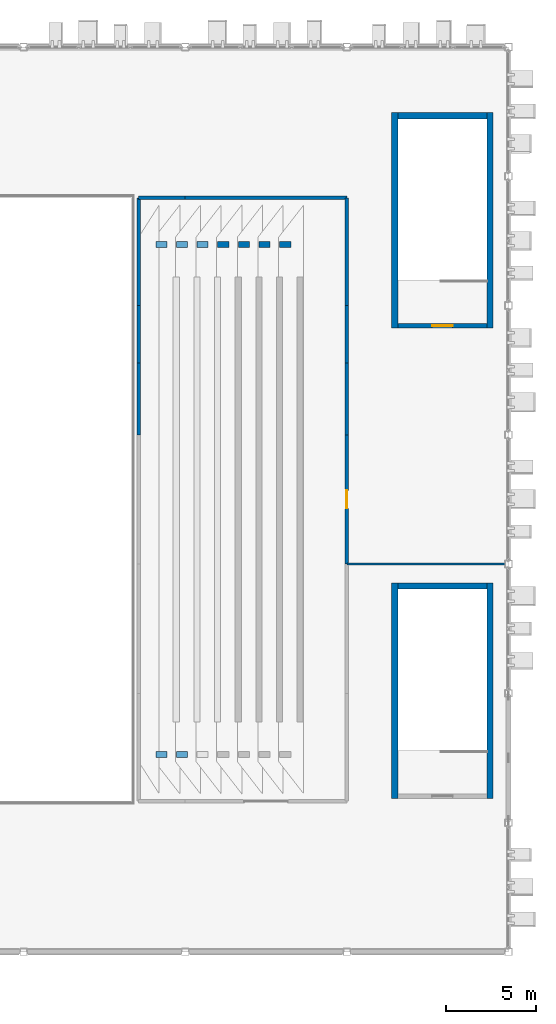
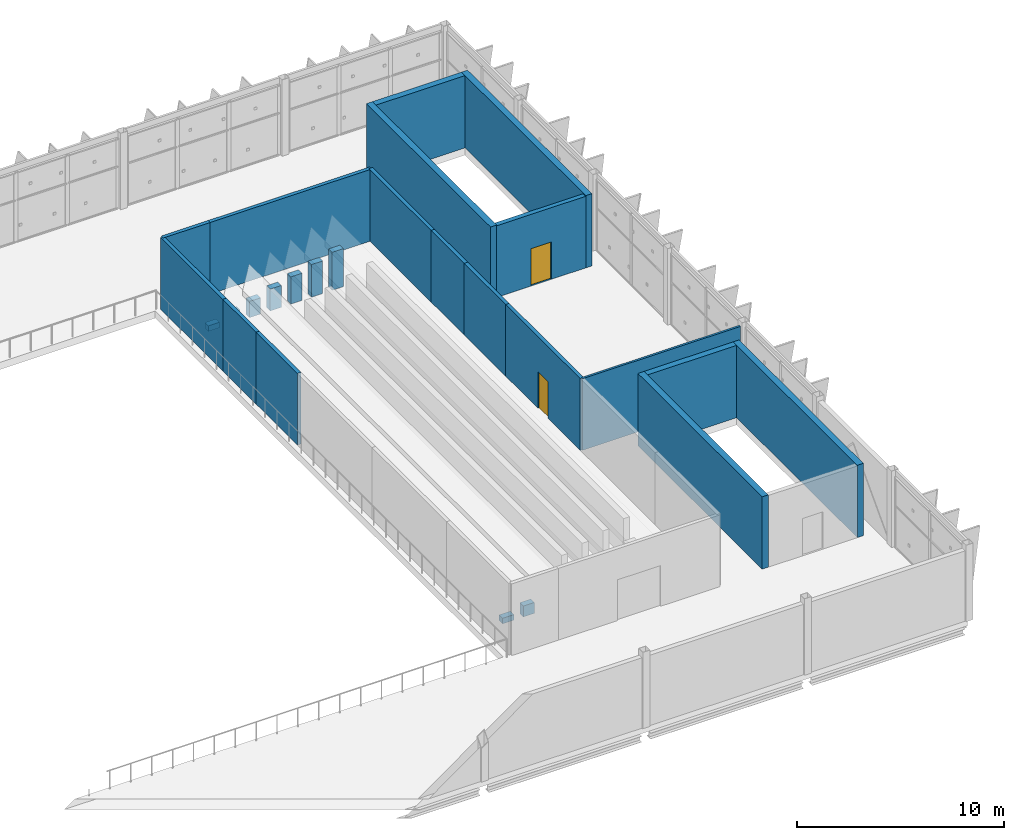
# One storey, part 120 of 151: 26 walls, 2 doors, 2 openings.
"""IFC4 building model written with IfcOpenShell, lengths in metres."""

from ifc_helpers import new_model, si_unit, direction, frame, frame_2d, origin, place, context, subcontext, project, spatial, rectangle, extrude, material, layer, layer_set, type_object, element, fill, save


model = new_model("IFC4")

# Units and contexts
model_context = context("Model", 3, precision=1e-05, world=origin(), true_north=direction((0.0, 1.0)))
body_context = subcontext(model_context, "Body", "Model", "MODEL_VIEW")
ifc_project = project(units=[si_unit("LENGTHUNIT", "METRE"), si_unit("AREAUNIT", "SQUARE_METRE"), si_unit("VOLUMEUNIT", "CUBIC_METRE"), si_unit("PLANEANGLEUNIT", "RADIAN"), si_unit("MASSUNIT", "GRAM", prefix="KILO")], contexts=[model_context])

# Site, building, storey
site_placement = place(None, origin())
site = spatial("IfcSite", under=ifc_project, at=site_placement, CompositionType="ELEMENT")
building_placement = place(site_placement, origin())
building = spatial("IfcBuilding", under=site, at=building_placement, Name="Celestram Park Convention Centre", CompositionType="ELEMENT")
storey_placement = place(building_placement, frame((0.0, 0.0, 10.800048828125)))
storey = spatial("IfcBuildingStorey", under=building, at=storey_placement, Name="L02", CompositionType="ELEMENT", Elevation=10.800048828125)

# Walls
ifc_material_1 = material(Name="Double-Stud Acoustic Gypsum Assembly", Category="gypsum")
ifc_layer_1 = layer(ifc_material_1, 0.199951171875)
ifc_layer_set_1 = layer_set([ifc_layer_1], Name="Double-Stud Acoustic Gypsum Assembly")
wall_type_1 = type_object("IfcWallType", Name="ARC-WL-ACO200", PredefinedType="PARTITIONING", material=ifc_layer_set_1)
wall_1_placement = place(storey_placement, frame((195.39990234375, 157.199951171875, 0.0), z_axis=(0.0, 0.0, 1.0), x_axis=(1.0, 0.0, 0.0)))
element("IfcWall", 1, at=wall_1_placement, inside=storey, type_object=wall_type_1, Name="Interior partition WL-L02-IN0831", PredefinedType="PARTITIONING", context=body_context, shape_type="SweptSolid", body=[
    extrude(rectangle(XDim=2.60009765625, YDim=0.199951171875, at=frame_2d((1.300048828125, 0.0))), origin(), (0.0, 0.0, 1.0), 4.219970703125),
])
wall_2_placement = place(storey_placement, frame((198.0, 157.199951171875, 0.0), z_axis=(0.0, 0.0, 1.0), x_axis=(1.0, 0.0, 0.0)))
element("IfcWall", 2, at=wall_2_placement, inside=storey, type_object=wall_type_1, Name="Interior partition WL-L02-IN0832", PredefinedType="PARTITIONING", context=body_context, shape_type="SweptSolid", body=[
    extrude(rectangle(XDim=9.0, YDim=0.199951171875, at=frame_2d((4.5, 0.0))), origin(), (0.0, 0.0, 1.0), 4.219970703125),
])
wall_3_placement = place(storey_placement, frame((195.39990234375, 144.0, 0.0), z_axis=(0.0, 0.0, 1.0), x_axis=(0.0, 1.0, 0.0)))
element("IfcWall", 3, at=wall_3_placement, inside=storey, type_object=wall_type_1, Name="Interior partition WL-L02-IN0865", PredefinedType="PARTITIONING", context=body_context, shape_type="SweptSolid", body=[
    extrude(rectangle(XDim=4.0, YDim=0.199951171875, at=frame_2d((2.0, 0.0))), origin(), (0.0, 0.0, 1.0), 4.219970703125),
])
wall_4_placement = place(storey_placement, frame((195.39990234375, 148.0, 0.0), z_axis=(0.0, 0.0, 1.0), x_axis=(0.0, 1.0, 0.0)))
element("IfcWall", 4, at=wall_4_placement, inside=storey, type_object=wall_type_1, Name="Interior partition WL-L02-IN0866", PredefinedType="PARTITIONING", context=body_context, shape_type="SweptSolid", body=[
    extrude(rectangle(XDim=3.199951171875, YDim=0.199951171875, at=frame_2d((1.60009765625, 0.0))), origin(), (0.0, 0.0, 1.0), 4.219970703125),
])
wall_5_placement = place(storey_placement, frame((195.39990234375, 151.199951171875, 0.0), z_axis=(0.0, 0.0, 1.0), x_axis=(0.0, 1.0, 0.0)))
element("IfcWall", 5, at=wall_5_placement, inside=storey, type_object=wall_type_1, Name="Interior partition WL-L02-IN0867", PredefinedType="PARTITIONING", context=body_context, shape_type="SweptSolid", body=[
    extrude(rectangle(XDim=6.0, YDim=0.199951171875, at=frame_2d((3.0, 0.0))), origin(), (0.0, 0.0, 1.0), 4.219970703125),
])

# Wall, opening, door
wall_6_placement = place(storey_placement, frame((207.0, 136.800048828125, 0.0), z_axis=(0.0, 0.0, 1.0), x_axis=(0.0, 1.0, 0.0)))
wall_6 = element("IfcWall", 6, at=wall_6_placement, inside=storey, type_object=wall_type_1, Name="Interior partition WL-L02-IN0875", PredefinedType="PARTITIONING", context=body_context, shape_type="SweptSolid", body=[
    extrude(rectangle(XDim=7.199951171875, YDim=0.199951171875, at=frame_2d((3.60009765625, 0.0))), origin(), (0.0, 0.0, 1.0), 4.219970703125),
])
opening_1_placement = place(wall_6_placement, frame((3.10009765625, 0.0, 0.0)))
opening_1 = element("IfcOpeningElement", 7, at=opening_1_placement, cuts=wall_6, Name="Opening D-07", PredefinedType="OPENING", context=body_context, shape_type="SweptSolid", body=[
    extrude(rectangle(XDim=1.0, YDim=2.14990234375, at=frame_2d((0.5, 1.074951171875))), frame((0.0, 0.10986328125, 0.0), z_axis=(0.0, -1.0, 0.0), x_axis=(1.0, 0.0, 0.0)), (0.0, 0.0, 1.0), 0.219970703125),
])
ifc_material_2 = material(Name="Solid Core White Oak Single Door", Category="wood")
door_type_1 = type_object("IfcDoorType", Name="ARC-DR-RM100", OperationType="NOTDEFINED", PredefinedType="DOOR", material=ifc_material_2)
door_1_placement = place(opening_1_placement, origin())
door_1 = element("IfcDoor", 8, at=door_1_placement, inside=storey, type_object=door_type_1, Name="Simultaneous Interpretation Booth entrance door", OperationType="SINGLE_SWING_LEFT", OverallHeight=2.14990234375, OverallWidth=1.0, PredefinedType="DOOR", context=body_context, shape_type="SweptSolid", body=[
    extrude(rectangle(XDim=1.0, YDim=2.14990234375, at=frame_2d((0.5, 1.074951171875))), frame((0.0, 0.02490234375, 0.0), z_axis=(0.0, -1.0, 0.0), x_axis=(1.0, 0.0, 0.0)), (0.0, 0.0, 1.0), 0.050048828125),
])
fill(opening_1, door_1)

# Walls
wall_7_placement = place(storey_placement, frame((207.0, 144.0, 0.0), z_axis=(0.0, 0.0, 1.0), x_axis=(0.0, 1.0, 0.0)))
element("IfcWall", 9, at=wall_7_placement, inside=storey, type_object=wall_type_1, Name="Interior partition WL-L02-IN0876", PredefinedType="PARTITIONING", context=body_context, shape_type="SweptSolid", body=[
    extrude(rectangle(XDim=4.0, YDim=0.199951171875, at=frame_2d((2.0, 0.0))), origin(), (0.0, 0.0, 1.0), 4.219970703125),
])
wall_8_placement = place(storey_placement, frame((207.0, 148.0, 0.0), z_axis=(0.0, 0.0, 1.0), x_axis=(0.0, 1.0, 0.0)))
element("IfcWall", 10, at=wall_8_placement, inside=storey, type_object=wall_type_1, Name="Interior partition WL-L02-IN0877", PredefinedType="PARTITIONING", context=body_context, shape_type="SweptSolid", body=[
    extrude(rectangle(XDim=3.199951171875, YDim=0.199951171875, at=frame_2d((1.60009765625, 0.0))), origin(), (0.0, 0.0, 1.0), 4.219970703125),
])
wall_9_placement = place(storey_placement, frame((207.0, 151.199951171875, 0.0), z_axis=(0.0, 0.0, 1.0), x_axis=(0.0, 1.0, 0.0)))
element("IfcWall", 11, at=wall_9_placement, inside=storey, type_object=wall_type_1, Name="Interior partition WL-L02-IN0878", PredefinedType="PARTITIONING", context=body_context, shape_type="SweptSolid", body=[
    extrude(rectangle(XDim=6.0, YDim=0.199951171875, at=frame_2d((3.0, 0.0))), origin(), (0.0, 0.0, 1.0), 4.219970703125),
])

# Wall, opening, door
ifc_material_3 = material(Name="Concrete Block Masonry C25/30", Category="masonry")
ifc_layer_2 = layer(ifc_material_3, 0.25)
ifc_layer_set_2 = layer_set([ifc_layer_2], Name="Concrete Block Masonry C25/30")
wall_type_2 = type_object("IfcWallType", Name="ARC-WL-COR250", PredefinedType="STANDARD", material=ifc_layer_set_2)
wall_10_placement = place(storey_placement, frame((209.840087890625, 150.074951171875, 0.0), z_axis=(0.0, 0.0, 1.0), x_axis=(1.0, 0.0, 0.0)))
wall_10 = element("IfcWall", 12, at=wall_10_placement, inside=storey, type_object=wall_type_2, Name="Core S07 stair entrance wall", PredefinedType="STANDARD", context=body_context, shape_type="SweptSolid", body=[
    extrude(rectangle(XDim=4.9599609375, YDim=0.25, at=frame_2d((2.47998046875, 0.0))), origin(), (0.0, 0.0, 1.0), 4.219970703125),
])
opening_2_placement = place(wall_10_placement, frame((1.905029296875, 0.0, 0.0)))
opening_2 = element("IfcOpeningElement", 13, at=opening_2_placement, cuts=wall_10, Name="Opening D-ST1", PredefinedType="OPENING", context=body_context, shape_type="SweptSolid", body=[
    extrude(rectangle(XDim=1.14990234375, YDim=2.199951171875, at=frame_2d((0.574951171875, 1.10009765625))), frame((0.0, 0.135009765625, 0.0), z_axis=(0.0, -1.0, 0.0), x_axis=(1.0, 0.0, 0.0)), (0.0, 0.0, 1.0), 0.27001953125),
])
ifc_material_4 = material(Name="Fire-Rated Hollow Metal Steel ASTM A653", Category="steel")
door_type_2 = type_object("IfcDoorType", Name="ARC-DR-ST115", OperationType="NOTDEFINED", PredefinedType="DOOR", material=ifc_material_4)
door_2_placement = place(opening_2_placement, origin())
door_2 = element("IfcDoor", 14, at=door_2_placement, inside=storey, type_object=door_type_2, Name="Exit stair ST-07 fire door", OperationType="SINGLE_SWING_LEFT", OverallHeight=2.199951171875, OverallWidth=1.14990234375, PredefinedType="DOOR", context=body_context, shape_type="SweptSolid", body=[
    extrude(rectangle(XDim=1.14990234375, YDim=2.199951171875, at=frame_2d((0.574951171875, 1.10009765625))), frame((0.0, 0.02490234375, 0.0), z_axis=(0.0, -1.0, 0.0), x_axis=(1.0, 0.0, 0.0)), (0.0, 0.0, 1.0), 0.050048828125),
])
fill(opening_2, door_2)

# Walls
ifc_material_5 = material(Name="Standard Gypsum & Steel Stud 120 mm", Category="steel")
ifc_layer_3 = layer(ifc_material_5, 0.1201171875)
ifc_layer_set_3 = layer_set([ifc_layer_3], Name="Standard Gypsum & Steel Stud 120 mm")
wall_type_3 = type_object("IfcWallType", Name="ARC-WL-PRT120", PredefinedType="PARTITIONING", material=ifc_layer_set_3)
wall_11_placement = place(storey_placement, frame((207.0, 136.800048828125, 0.0), z_axis=(0.0, 0.0, 1.0), x_axis=(1.0, 0.0, 0.0)))
element("IfcWall", 15, at=wall_11_placement, inside=storey, type_object=wall_type_3, Name="Interior partition WL-L02-IN0821", PredefinedType="PARTITIONING", context=body_context, shape_type="SweptSolid", body=[
    extrude(rectangle(XDim=8.802001953125, YDim=0.1201171875, at=frame_2d((4.40087890625, 0.0))), origin(), (0.0, 0.0, 1.0), 4.219970703125),
])
ifc_material_6 = material(Name="Concrete C40/50", Category="concrete")
ifc_layer_4 = layer(ifc_material_6, 0.340087890625)
ifc_layer_set_4 = layer_set([ifc_layer_4], Name="Concrete C40/50")
wall_type_4 = type_object("IfcWallType", Name="STR-WL-SHR340", PredefinedType="SHEAR", material=ifc_layer_set_4)
for number, where, z_axis, x_axis, name in (
    (16, (196.360107421875, 126.199951171875, 0.0), (0.0, 0.0, 1.0), (1.0, 0.0, 0.0), "Plenary balcony raker wall 2S"),
    (17, (196.360107421875, 154.60009765625, 0.0), (0.0, 0.0, 1.0), (1.0, 0.0, 0.0), "Plenary balcony raker wall 2N"),
):
    element("IfcWall", number, at=place(storey_placement, frame(where, z_axis=z_axis, x_axis=x_axis)), inside=storey, type_object=wall_type_4, Name=name, PredefinedType="SHEAR", context=body_context, shape_type="SweptSolid", body=[
        extrude(rectangle(XDim=0.619873046875, YDim=0.340087890625, at=frame_2d((0.31005859375, 0.0))), origin(), (0.0, 0.0, 1.0), 0.320068359375),
    ])
for number, where, z_axis, x_axis, name in (
    (18, (197.510009765625, 126.199951171875, 0.0), (0.0, 0.0, 1.0), (1.0, 0.0, 0.0), "Plenary balcony raker wall 3S"),
    (19, (197.510009765625, 154.60009765625, 0.0), (0.0, 0.0, 1.0), (1.0, 0.0, 0.0), "Plenary balcony raker wall 3N"),
):
    element("IfcWall", number, at=place(storey_placement, frame(where, z_axis=z_axis, x_axis=x_axis)), inside=storey, type_object=wall_type_4, Name=name, PredefinedType="SHEAR", context=body_context, shape_type="SweptSolid", body=[
        extrude(rectangle(XDim=0.619873046875, YDim=0.340087890625, at=frame_2d((0.31005859375, 0.0))), origin(), (0.0, 0.0, 1.0), 0.639892578125),
    ])
wall_12_placement = place(storey_placement, frame((198.659912109375, 154.60009765625, 0.0), z_axis=(0.0, 0.0, 1.0), x_axis=(1.0, 0.0, 0.0)))
element("IfcWall", 20, at=wall_12_placement, inside=storey, type_object=wall_type_4, Name="Plenary balcony raker wall 4N", PredefinedType="SHEAR", context=body_context, shape_type="SweptSolid", body=[
    extrude(rectangle(XDim=0.6201171875, YDim=0.340087890625, at=frame_2d((0.31005859375, 0.0))), origin(), (0.0, 0.0, 1.0), 0.9599609375),
])
wall_13_placement = place(storey_placement, frame((199.81005859375, 154.60009765625, 0.0), z_axis=(0.0, 0.0, 1.0), x_axis=(1.0, 0.0, 0.0)))
element("IfcWall", 21, at=wall_13_placement, inside=storey, type_object=wall_type_4, Name="Plenary balcony raker wall 5N", PredefinedType="SHEAR", context=body_context, shape_type="SweptSolid", body=[
    extrude(rectangle(XDim=0.619873046875, YDim=0.340087890625, at=frame_2d((0.31005859375, 0.0))), origin(), (0.0, 0.0, 1.0), 1.280029296875),
])
wall_14_placement = place(storey_placement, frame((200.9599609375, 154.60009765625, 0.0), z_axis=(0.0, 0.0, 1.0), x_axis=(1.0, 0.0, 0.0)))
element("IfcWall", 22, at=wall_14_placement, inside=storey, type_object=wall_type_4, Name="Plenary balcony raker wall 6N", PredefinedType="SHEAR", context=body_context, shape_type="SweptSolid", body=[
    extrude(rectangle(XDim=0.6201171875, YDim=0.340087890625, at=frame_2d((0.31005859375, 0.0))), origin(), (0.0, 0.0, 1.0), 1.599853515625),
])
wall_15_placement = place(storey_placement, frame((202.110107421875, 154.60009765625, 0.0), z_axis=(0.0, 0.0, 1.0), x_axis=(1.0, 0.0, 0.0)))
element("IfcWall", 23, at=wall_15_placement, inside=storey, type_object=wall_type_4, Name="Plenary balcony raker wall 7N", PredefinedType="SHEAR", context=body_context, shape_type="SweptSolid", body=[
    extrude(rectangle(XDim=0.619873046875, YDim=0.340087890625, at=frame_2d((0.31005859375, 0.0))), origin(), (0.0, 0.0, 1.0), 1.919921875),
])
wall_16_placement = place(storey_placement, frame((203.260009765625, 154.60009765625, 0.0), z_axis=(0.0, 0.0, 1.0), x_axis=(1.0, 0.0, 0.0)))
element("IfcWall", 24, at=wall_16_placement, inside=storey, type_object=wall_type_4, Name="Plenary balcony raker wall 8N", PredefinedType="SHEAR", context=body_context, shape_type="SweptSolid", body=[
    extrude(rectangle(XDim=0.619873046875, YDim=0.340087890625, at=frame_2d((0.31005859375, 0.0))), origin(), (0.0, 0.0, 1.0), 2.239990234375),
])
for number, where, z_axis, x_axis, name in (
    (25, (209.669921875, 149.949951171875, 0.0), (0.0, 0.0, 1.0), (0.0, 1.0, 0.0), "Core S07 shear wall L"),
    (26, (214.969970703125, 161.93994140625, 0.0), (0.0, 0.0, 1.0), (0.0, -1.0, 0.0), "Core S07 shear wall R"),
):
    element("IfcWall", number, at=place(storey_placement, frame(where, z_axis=z_axis, x_axis=x_axis)), inside=storey, type_object=wall_type_4, Name=name, PredefinedType="SHEAR", context=body_context, shape_type="SweptSolid", body=[
        extrude(rectangle(XDim=11.989990234375, YDim=0.340087890625, at=frame_2d((5.9951171875, 0.0))), origin(), (0.0, 0.0, 1.0), 4.260009765625),
    ])
wall_17_placement = place(storey_placement, frame((209.840087890625, 161.77001953125, 0.0), z_axis=(0.0, 0.0, 1.0), x_axis=(1.0, 0.0, 0.0)))
element("IfcWall", 27, at=wall_17_placement, inside=storey, type_object=wall_type_4, Name="Core S07 shear wall F", PredefinedType="SHEAR", context=body_context, shape_type="SweptSolid", body=[
    extrude(rectangle(XDim=4.9599609375, YDim=0.340087890625, at=frame_2d((2.47998046875, 0.0))), origin(), (0.0, 0.0, 1.0), 4.260009765625),
])
for number, where, z_axis, x_axis, name in (
    (28, (209.669921875, 123.75, 0.0), (0.0, 0.0, 1.0), (0.0, 1.0, 0.0), "Core S08 shear wall L"),
    (29, (214.969970703125, 135.739990234375, 0.0), (0.0, 0.0, 1.0), (0.0, -1.0, 0.0), "Core S08 shear wall R"),
):
    element("IfcWall", number, at=place(storey_placement, frame(where, z_axis=z_axis, x_axis=x_axis)), inside=storey, type_object=wall_type_4, Name=name, PredefinedType="SHEAR", context=body_context, shape_type="SweptSolid", body=[
        extrude(rectangle(XDim=11.989990234375, YDim=0.340087890625, at=frame_2d((5.9951171875, 0.0))), origin(), (0.0, 0.0, 1.0), 4.260009765625),
    ])
wall_18_placement = place(storey_placement, frame((209.840087890625, 135.570068359375, 0.0), z_axis=(0.0, 0.0, 1.0), x_axis=(1.0, 0.0, 0.0)))
element("IfcWall", 30, at=wall_18_placement, inside=storey, type_object=wall_type_4, Name="Core S08 shear wall F", PredefinedType="SHEAR", context=body_context, shape_type="SweptSolid", body=[
    extrude(rectangle(XDim=4.9599609375, YDim=0.340087890625, at=frame_2d((2.47998046875, 0.0))), origin(), (0.0, 0.0, 1.0), 4.260009765625),
])

save(model, "model.ifc")
